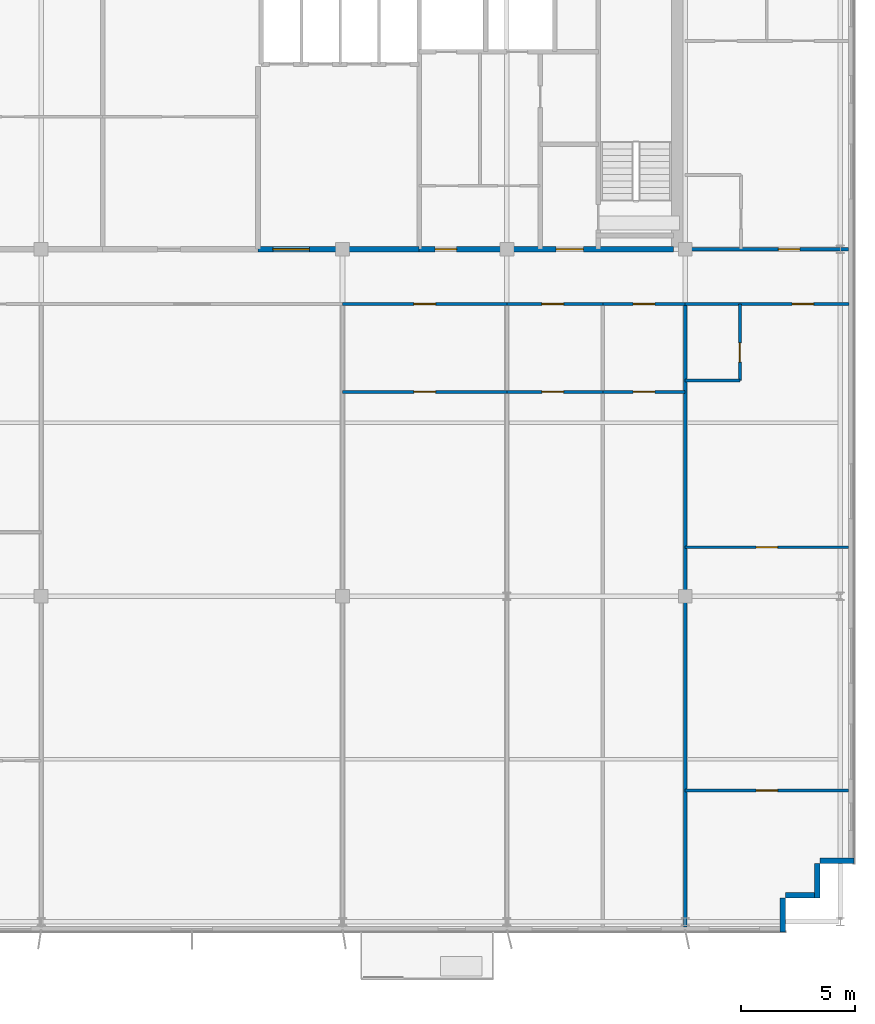
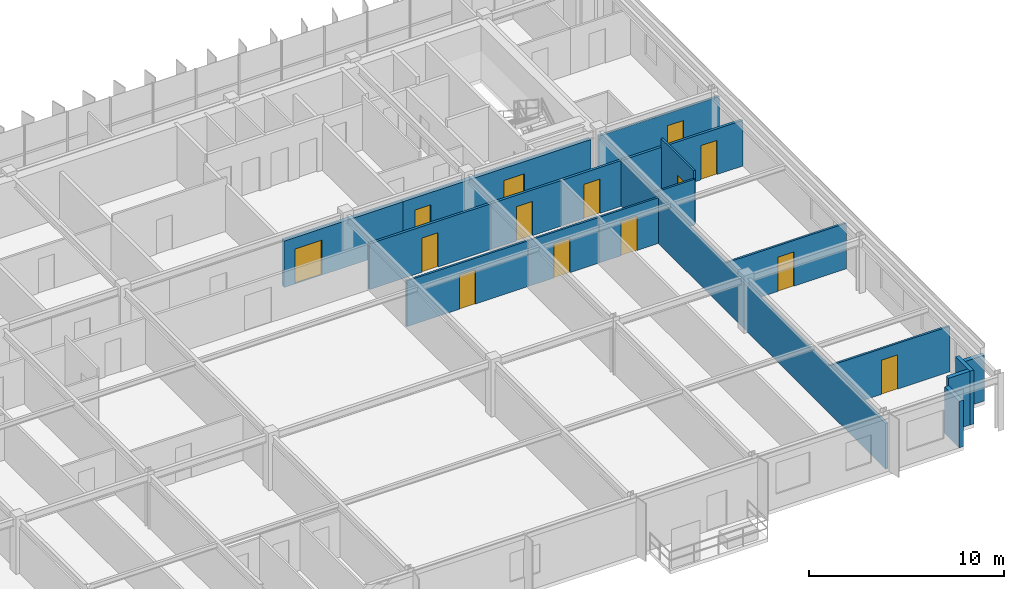
# One storey, part 18 of 22: 19 walls, 14 doors, 14 openings.
"""IFC4 building model written with IfcOpenShell, lengths in metres."""

from ifc_helpers import new_model, si_unit, direction, frame, frame_2d, origin, place, context, subcontext, project, spatial, rectangle, extrude, source, transform, mapped, material, layer, layer_set, type_object, element, fill, save


model = new_model("IFC4")

# Units and contexts
model_context = context("Model", 3, precision=1e-05, world=origin(), true_north=direction((0.0, 1.0)))
body_context = subcontext(model_context, "Body", "Model", "MODEL_VIEW")
ifc_project = project(units=[si_unit("LENGTHUNIT", "METRE"), si_unit("AREAUNIT", "SQUARE_METRE"), si_unit("VOLUMEUNIT", "CUBIC_METRE"), si_unit("PLANEANGLEUNIT", "RADIAN"), si_unit("MASSUNIT", "GRAM", prefix="KILO")], contexts=[model_context])

# Site, building, storey
site_placement = place(None, origin())
site = spatial("IfcSite", under=ifc_project, at=site_placement, CompositionType="ELEMENT")
building_placement = place(site_placement, origin())
building = spatial("IfcBuilding", under=site, at=building_placement, Name="Trelvane Seafront Commons", CompositionType="ELEMENT")
storey_placement = place(building_placement, frame((0.0, 0.0, 273.89990234375)))
storey = spatial("IfcBuildingStorey", under=building, at=storey_placement, Name="L71", CompositionType="ELEMENT", Elevation=273.89990234375)

# Walls
ifc_material_1 = material(Name="Precast concrete C40/50", Category="concrete")
ifc_layer_1 = layer(ifc_material_1, 0.239990234375, Name="ARCH-WALL-EXT240")
ifc_layer_set_1 = layer_set([ifc_layer_1], Name="Precast concrete C40/50")
wall_type_1 = type_object("IfcWallType", Name="ARCH-WALL-EXT240", PredefinedType="SOLIDWALL", material=ifc_layer_set_1)
wall_1_placement = place(storey_placement, frame((66.199951171875, 6.6201171875, 0.0), z_axis=(0.0, 0.0, 1.0), x_axis=(-1.0, 0.0, 0.0)))
element("IfcWall", 1, at=wall_1_placement, inside=storey, type_object=wall_type_1, Name="EW-L71-01439", PredefinedType="SOLIDWALL", context=body_context, shape_type="SweptSolid", body=[
    extrude(rectangle(XDim=1.5, YDim=0.239990234375, at=frame_2d((0.75, 0.0))), origin(), (0.0, 0.0, 1.0), 2.8701171875),
])
for number, where, z_axis, x_axis, name in (
    (2, (64.580078125, 6.5, 0.0), (0.0, 0.0, 1.0), (0.0, -1.0, 0.0), "EW-L71-01440"),
    (3, (64.699951171875, 5.1201171875, 0.0), (0.0, 0.0, 1.0), (-1.0, 0.0, 0.0), "EW-L71-01441"),
):
    element("IfcWall", number, at=place(storey_placement, frame(where, z_axis=z_axis, x_axis=x_axis)), inside=storey, type_object=wall_type_1, Name=name, PredefinedType="SOLIDWALL", context=body_context, shape_type="SweptSolid", body=[
        extrude(rectangle(XDim=1.5, YDim=0.239990234375, at=frame_2d((0.75, 0.0))), origin(), (0.0, 0.0, 1.0), 3.3701171875),
    ])
wall_2_placement = place(storey_placement, frame((63.080078125, 5.0, 0.0), z_axis=(0.0, 0.0, 1.0), x_axis=(0.0, -1.0, 0.0)))
element("IfcWall", 4, at=wall_2_placement, inside=storey, type_object=wall_type_1, Name="EW-L71-01442", PredefinedType="SOLIDWALL", context=body_context, shape_type="SweptSolid", body=[
    extrude(rectangle(XDim=1.5, YDim=0.239990234375, at=frame_2d((0.75, 0.0))), origin(), (0.0, 0.0, 1.0), 2.920166015625),
])

# Wall, opening, door
ifc_material_2 = material(Name="Concrete C40/50", Category="concrete")
ifc_layer_2 = layer(ifc_material_2, 0.25, Name="ARCH-WALL-FIRE250")
ifc_layer_set_2 = layer_set([ifc_layer_2], Name="Concrete C40/50")
wall_type_2 = type_object("IfcWallType", Name="ARCH-WALL-FIRE250", PredefinedType="PARTITIONING", material=ifc_layer_set_2)
wall_3_placement = place(storey_placement, frame((40.10009765625, 33.39990234375, 0.0), z_axis=(0.0, 0.0, 1.0), x_axis=(1.0, 0.0, 0.0)))
wall_3 = element("IfcWall", 5, at=wall_3_placement, inside=storey, type_object=wall_type_2, Name="W-L71-CS-PAX-026", PredefinedType="PARTITIONING", context=body_context, shape_type="SweptSolid", body=[
    extrude(rectangle(XDim=7.0498046875, YDim=0.25, at=frame_2d((3.52490234375, 0.0))), origin(), (0.0, 0.0, 1.0), 2.920166015625),
])
opening_1_placement = place(wall_3_placement, frame((0.64990234375, 0.0, 0.0)))
opening_1 = element("IfcOpeningElement", 6, at=opening_1_placement, cuts=wall_3, Name="Opening FD-L71-14", PredefinedType="OPENING", context=body_context, shape_type="SweptSolid", body=[
    extrude(rectangle(XDim=1.60009765625, YDim=2.199951171875, at=frame_2d((0.800048828125, 1.10009765625))), frame((0.0, 0.135009765625, 0.0), z_axis=(0.0, -1.0, 0.0), x_axis=(1.0, 0.0, 0.0)), (0.0, 0.0, 1.0), 0.27001953125),
])
ifc_material_3 = material(Name="Powder-coated aluminium frame", Category="aluminium")
door_type_1 = type_object("IfcDoorType", Name="ARCH-DR-FD60-1600", OperationType="DOUBLE_DOOR_SINGLE_SWING", PredefinedType="DOOR", material=ifc_material_3)
shared_shape_1 = source(origin(), body_context, "Body", "SweptSolid", [
    extrude(rectangle(XDim=1.60009765625, YDim=2.199951171875, at=frame_2d((0.800048828125, 1.10009765625))), frame((0.0, 0.02490234375, 0.0), z_axis=(0.0, -1.0, 0.0), x_axis=(1.0, 0.0, 0.0)), (0.0, 0.0, 1.0), 0.050048828125),
])
door_1_placement = place(opening_1_placement, origin())
door_1 = element("IfcDoor", 7, at=door_1_placement, inside=storey, type_object=door_type_1, Name="L71 High-Rise Lift Lobby Double Door", OperationType="DOUBLE_DOOR_SINGLE_SWING", OverallHeight=2.199951171875, OverallWidth=1.60009765625, PredefinedType="DOOR", context=body_context, shape_type="MappedRepresentation", body=[
    mapped(shared_shape_1, transform((0.0, 0.0, 0.0), x_axis=(1.0, 0.0, 0.0), y_axis=(0.0, 1.0, 0.0), z_axis=(0.0, 0.0, 1.0), scale=1.0)),
])
fill(opening_1, door_1)

# Wall, openings, doors
wall_4_placement = place(storey_placement, frame((47.14990234375, 33.39990234375, 0.0), z_axis=(0.0, 0.0, 1.0), x_axis=(1.0, 0.0, 0.0)))
wall_4 = element("IfcWall", 8, at=wall_4_placement, inside=storey, type_object=wall_type_2, Name="W-L71-CS-EAST-034", PredefinedType="PARTITIONING", context=body_context, shape_type="SweptSolid", body=[
    extrude(rectangle(XDim=11.150146484375, YDim=0.25, at=frame_2d((5.5751953125, 0.0))), origin(), (0.0, 0.0, 1.0), 2.920166015625),
])
opening_2_placement = place(wall_4_placement, frame((0.699951171875, 0.0, 0.0)))
opening_2 = element("IfcOpeningElement", 9, at=opening_2_placement, cuts=wall_4, Name="Opening FD-L71-20", PredefinedType="OPENING", context=body_context, shape_type="SweptSolid", body=[
    extrude(rectangle(XDim=0.949951171875, YDim=2.14990234375, at=frame_2d((0.47509765625, 1.074951171875))), frame((0.0, 0.135009765625, 0.0), z_axis=(0.0, -1.0, 0.0), x_axis=(1.0, 0.0, 0.0)), (0.0, 0.0, 1.0), 0.27001953125),
])
opening_3_placement = place(wall_4_placement, frame((6.0, 0.0, 0.0)))
opening_3 = element("IfcOpeningElement", 10, at=opening_3_placement, cuts=wall_4, Name="Opening FD-L71-21", PredefinedType="OPENING", context=body_context, shape_type="SweptSolid", body=[
    extrude(rectangle(XDim=1.199951171875, YDim=2.14990234375, at=frame_2d((0.60009765625, 1.074951171875))), frame((0.0, 0.135009765625, 0.0), z_axis=(0.0, -1.0, 0.0), x_axis=(1.0, 0.0, 0.0)), (0.0, 0.0, 1.0), 0.27001953125),
])
door_type_2 = type_object("IfcDoorType", Name="ARCH-DR-FD60-950", OperationType="NOTDEFINED", PredefinedType="DOOR", material=ifc_material_3)
shared_shape_2 = source(origin(), body_context, "Body", "SweptSolid", [
    extrude(rectangle(XDim=0.949951171875, YDim=2.14990234375, at=frame_2d((0.47509765625, 1.074951171875))), frame((0.0, 0.02490234375, 0.0), z_axis=(0.0, -1.0, 0.0), x_axis=(1.0, 0.0, 0.0)), (0.0, 0.0, 1.0), 0.050048828125),
])
door_2_placement = place(opening_2_placement, origin())
door_2 = element("IfcDoor", 11, at=door_2_placement, inside=storey, type_object=door_type_2, Name="L71 Core Service Lobby Door", OperationType="SINGLE_SWING_RIGHT", OverallHeight=2.14990234375, OverallWidth=0.949951171875, PredefinedType="DOOR", context=body_context, shape_type="MappedRepresentation", body=[
    mapped(shared_shape_2, transform((0.0, 0.0, 0.0), x_axis=(1.0, 0.0, 0.0), y_axis=(0.0, 1.0, 0.0), z_axis=(0.0, 0.0, 1.0), scale=1.0)),
])
fill(opening_2, door_2)
door_type_3 = type_object("IfcDoorType", Name="ARCH-DR-FD60-1200", OperationType="NOTDEFINED", PredefinedType="DOOR", material=ifc_material_3)
shared_shape_3 = source(origin(), body_context, "Body", "SweptSolid", [
    extrude(rectangle(XDim=1.199951171875, YDim=2.14990234375, at=frame_2d((0.60009765625, 1.074951171875))), frame((0.0, 0.02490234375, 0.0), z_axis=(0.0, -1.0, 0.0), x_axis=(1.0, 0.0, 0.0)), (0.0, 0.0, 1.0), 0.050048828125),
])
door_3_placement = place(opening_3_placement, origin())
door_3 = element("IfcDoor", 12, at=door_3_placement, inside=storey, type_object=door_type_3, Name="L71 East Stair Vestibule Fire Door", OperationType="SINGLE_SWING_LEFT", OverallHeight=2.14990234375, OverallWidth=1.199951171875, PredefinedType="DOOR", context=body_context, shape_type="MappedRepresentation", body=[
    mapped(shared_shape_3, transform((0.0, 0.0, 0.0), x_axis=(1.0, 0.0, 0.0), y_axis=(0.0, 1.0, 0.0), z_axis=(0.0, 0.0, 1.0), scale=1.0)),
])
fill(opening_3, door_3)

# Wall, opening, door
ifc_material_4 = material(Name="Gypsum Drywall Acoustic Partition")
ifc_layer_3 = layer(ifc_material_4, 0.1201171875, Name="ARCH-WALL-PART120")
ifc_layer_set_3 = layer_set([ifc_layer_3], Name="Gypsum Drywall Acoustic Partition")
wall_type_3 = type_object("IfcWallType", Name="ARCH-WALL-PART120", PredefinedType="PARTITIONING", material=ifc_layer_set_3)
wall_5_placement = place(storey_placement, frame((43.800048828125, 27.14990234375, 0.0), z_axis=(0.0, 0.0, 1.0), x_axis=(1.0, 0.0, 0.0)))
wall_5 = element("IfcWall", 13, at=wall_5_placement, inside=storey, type_object=wall_type_3, Name="W-L71-U6-DIV-073", PredefinedType="PARTITIONING", context=body_context, shape_type="SweptSolid", body=[
    extrude(rectangle(XDim=7.199951171875, YDim=0.1201171875, at=frame_2d((3.60009765625, 0.0))), origin(), (0.0, 0.0, 1.0), 2.8701171875),
])
opening_4_placement = place(wall_5_placement, frame((3.125, 0.0, 0.0)))
opening_4 = element("IfcOpeningElement", 14, at=opening_4_placement, cuts=wall_5, Name="Opening D-L71-46", PredefinedType="OPENING", context=body_context, shape_type="SweptSolid", body=[
    extrude(rectangle(XDim=0.949951171875, YDim=2.14990234375, at=frame_2d((0.47509765625, 1.074951171875))), frame((0.0, 0.070068359375, 0.0), z_axis=(0.0, -1.0, 0.0), x_axis=(1.0, 0.0, 0.0)), (0.0, 0.0, 1.0), 0.14013671875),
])
ifc_material_5 = material(Name="Acoustic timber door leaf", Category="wood")
door_type_4 = type_object("IfcDoorType", Name="ARCH-DR-INT950", OperationType="NOTDEFINED", PredefinedType="DOOR", material=ifc_material_5)
door_4_placement = place(opening_4_placement, origin())
door_4 = element("IfcDoor", 15, at=door_4_placement, inside=storey, type_object=door_type_4, Name="L71 Door 46", OperationType="SINGLE_SWING_RIGHT", OverallHeight=2.14990234375, OverallWidth=0.949951171875, PredefinedType="DOOR", context=body_context, shape_type="MappedRepresentation", body=[
    mapped(shared_shape_2, transform((0.0, 0.0, 0.0), x_axis=(1.0, 0.0, 0.0), y_axis=(0.0, 1.0, 0.0), z_axis=(0.0, 0.0, 1.0), scale=1.0)),
])
fill(opening_4, door_4)

wall_6_placement = place(storey_placement, frame((51.0, 27.14990234375, 0.0), z_axis=(0.0, 0.0, 1.0), x_axis=(1.0, 0.0, 0.0)))
wall_6 = element("IfcWall", 16, at=wall_6_placement, inside=storey, type_object=wall_type_3, Name="W-L71-U7-DIV-075", PredefinedType="PARTITIONING", context=body_context, shape_type="SweptSolid", body=[
    extrude(rectangle(XDim=4.199951171875, YDim=0.1201171875, at=frame_2d((2.10009765625, 0.0))), origin(), (0.0, 0.0, 1.0), 2.8701171875),
])
opening_5_placement = place(wall_6_placement, frame((1.529052734375, 0.0, 0.0)))
opening_5 = element("IfcOpeningElement", 17, at=opening_5_placement, cuts=wall_6, Name="Opening D-L71-48", PredefinedType="OPENING", context=body_context, shape_type="SweptSolid", body=[
    extrude(rectangle(XDim=0.949951171875, YDim=2.14990234375, at=frame_2d((0.47509765625, 1.074951171875))), frame((0.0, 0.070068359375, 0.0), z_axis=(0.0, -1.0, 0.0), x_axis=(1.0, 0.0, 0.0)), (0.0, 0.0, 1.0), 0.14013671875),
])
door_5_placement = place(opening_5_placement, origin())
door_5 = element("IfcDoor", 18, at=door_5_placement, inside=storey, type_object=door_type_4, Name="L71 Door 48", OperationType="SINGLE_SWING_RIGHT", OverallHeight=2.14990234375, OverallWidth=0.949951171875, PredefinedType="DOOR", context=body_context, shape_type="MappedRepresentation", body=[
    mapped(shared_shape_2, transform((0.0, 0.0, 0.0), x_axis=(1.0, 0.0, 0.0), y_axis=(0.0, 1.0, 0.0), z_axis=(0.0, 0.0, 1.0), scale=1.0)),
])
fill(opening_5, door_5)

wall_7_placement = place(storey_placement, frame((55.199951171875, 27.14990234375, 0.0), z_axis=(0.0, 0.0, 1.0), x_axis=(1.0, 0.0, 0.0)))
wall_7 = element("IfcWall", 19, at=wall_7_placement, inside=storey, type_object=wall_type_3, Name="W-L71-U8-DIV-077", PredefinedType="PARTITIONING", context=body_context, shape_type="SweptSolid", body=[
    extrude(rectangle(XDim=3.60009765625, YDim=0.1201171875, at=frame_2d((1.800048828125, 0.0))), origin(), (0.0, 0.0, 1.0), 2.8701171875),
])
opening_6_placement = place(wall_7_placement, frame((1.324951171875, 0.0, 0.0)))
opening_6 = element("IfcOpeningElement", 20, at=opening_6_placement, cuts=wall_7, Name="Opening D-L71-50", PredefinedType="OPENING", context=body_context, shape_type="SweptSolid", body=[
    extrude(rectangle(XDim=0.949951171875, YDim=2.14990234375, at=frame_2d((0.47509765625, 1.074951171875))), frame((0.0, 0.070068359375, 0.0), z_axis=(0.0, -1.0, 0.0), x_axis=(1.0, 0.0, 0.0)), (0.0, 0.0, 1.0), 0.14013671875),
])
door_6_placement = place(opening_6_placement, origin())
door_6 = element("IfcDoor", 21, at=door_6_placement, inside=storey, type_object=door_type_4, Name="L71 Door 50", OperationType="SINGLE_SWING_RIGHT", OverallHeight=2.14990234375, OverallWidth=0.949951171875, PredefinedType="DOOR", context=body_context, shape_type="MappedRepresentation", body=[
    mapped(shared_shape_2, transform((0.0, 0.0, 0.0), x_axis=(1.0, 0.0, 0.0), y_axis=(0.0, 1.0, 0.0), z_axis=(0.0, 0.0, 1.0), scale=1.0)),
])
fill(opening_6, door_6)

wall_8_placement = place(storey_placement, frame((58.800048828125, 20.35009765625, 0.0), z_axis=(0.0, 0.0, 1.0), x_axis=(1.0, 0.0, 0.0)))
wall_8 = element("IfcWall", 22, at=wall_8_placement, inside=storey, type_object=wall_type_3, Name="W-L71-U9-KL-078", PredefinedType="PARTITIONING", context=body_context, shape_type="SweptSolid", body=[
    extrude(rectangle(XDim=7.159912109375, YDim=0.1201171875, at=frame_2d((3.580078125, 0.0))), origin(), (0.0, 0.0, 1.0), 2.8701171875),
])
opening_7_placement = place(wall_8_placement, frame((3.10498046875, 0.0, 0.0)))
opening_7 = element("IfcOpeningElement", 23, at=opening_7_placement, cuts=wall_8, Name="Opening D-L71-51", PredefinedType="OPENING", context=body_context, shape_type="SweptSolid", body=[
    extrude(rectangle(XDim=0.949951171875, YDim=2.14990234375, at=frame_2d((0.47509765625, 1.074951171875))), frame((0.0, 0.070068359375, 0.0), z_axis=(0.0, -1.0, 0.0), x_axis=(1.0, 0.0, 0.0)), (0.0, 0.0, 1.0), 0.14013671875),
])
door_7_placement = place(opening_7_placement, origin())
door_7 = element("IfcDoor", 24, at=door_7_placement, inside=storey, type_object=door_type_4, Name="L71 Door 51", OperationType="SINGLE_SWING_LEFT", OverallHeight=2.14990234375, OverallWidth=0.949951171875, PredefinedType="DOOR", context=body_context, shape_type="MappedRepresentation", body=[
    mapped(shared_shape_2, transform((0.0, 0.0, 0.0), x_axis=(1.0, 0.0, 0.0), y_axis=(0.0, 1.0, 0.0), z_axis=(0.0, 0.0, 1.0), scale=1.0)),
])
fill(opening_7, door_7)

wall_9_placement = place(storey_placement, frame((61.199951171875, 27.64990234375, 0.0), z_axis=(0.0, 0.0, 1.0), x_axis=(0.0, 1.0, 0.0)))
wall_9 = element("IfcWall", 25, at=wall_9_placement, inside=storey, type_object=wall_type_3, Name="W-L71-U9-BE-079", PredefinedType="PARTITIONING", context=body_context, shape_type="SweptSolid", body=[
    extrude(rectangle(XDim=3.35009765625, YDim=0.1201171875, at=frame_2d((1.675048828125, 0.0))), origin(), (0.0, 0.0, 1.0), 3.3701171875),
])
opening_8_placement = place(wall_9_placement, frame((0.800048828125, 0.0, 0.0)))
opening_8 = element("IfcOpeningElement", 26, at=opening_8_placement, cuts=wall_9, Name="Opening D-L71-52", PredefinedType="OPENING", context=body_context, shape_type="SweptSolid", body=[
    extrude(rectangle(XDim=0.85009765625, YDim=2.10009765625, at=frame_2d((0.425048828125, 1.050048828125))), frame((0.0, 0.070068359375, 0.0), z_axis=(0.0, -1.0, 0.0), x_axis=(1.0, 0.0, 0.0)), (0.0, 0.0, 1.0), 0.14013671875),
])
door_type_5 = type_object("IfcDoorType", Name="ARCH-DR-INT850", OperationType="NOTDEFINED", PredefinedType="DOOR", material=ifc_material_5)
shared_shape_4 = source(origin(), body_context, "Body", "SweptSolid", [
    extrude(rectangle(XDim=0.85009765625, YDim=2.10009765625, at=frame_2d((0.425048828125, 1.050048828125))), frame((0.0, 0.02490234375, 0.0), z_axis=(0.0, -1.0, 0.0), x_axis=(1.0, 0.0, 0.0)), (0.0, 0.0, 1.0), 0.050048828125),
])
door_8_placement = place(opening_8_placement, origin())
door_8 = element("IfcDoor", 27, at=door_8_placement, inside=storey, type_object=door_type_5, Name="L71 Door 52", OperationType="SINGLE_SWING_RIGHT", OverallHeight=2.10009765625, OverallWidth=0.85009765625, PredefinedType="DOOR", context=body_context, shape_type="MappedRepresentation", body=[
    mapped(shared_shape_4, transform((0.0, 0.0, 0.0), x_axis=(1.0, 0.0, 0.0), y_axis=(0.0, 1.0, 0.0), z_axis=(0.0, 0.0, 1.0), scale=1.0)),
])
fill(opening_8, door_8)

# Wall
wall_10_placement = place(storey_placement, frame((58.800048828125, 27.64990234375, 0.0), z_axis=(0.0, 0.0, 1.0), x_axis=(1.0, 0.0, 0.0)))
element("IfcWall", 28, at=wall_10_placement, inside=storey, type_object=wall_type_3, Name="W-L71-U9-BS-080", PredefinedType="PARTITIONING", context=body_context, shape_type="SweptSolid", body=[
    extrude(rectangle(XDim=2.39990234375, YDim=0.1201171875, at=frame_2d((1.199951171875, 0.0))), origin(), (0.0, 0.0, 1.0), 2.8701171875),
])

# Wall, opening, door
wall_11_placement = place(storey_placement, frame((58.800048828125, 9.699951171875, 0.0), z_axis=(0.0, 0.0, 1.0), x_axis=(1.0, 0.0, 0.0)))
wall_11 = element("IfcWall", 29, at=wall_11_placement, inside=storey, type_object=wall_type_3, Name="W-L71-U9-YM-1-082", PredefinedType="PARTITIONING", context=body_context, shape_type="SweptSolid", body=[
    extrude(rectangle(XDim=7.159912109375, YDim=0.1201171875, at=frame_2d((3.580078125, 0.0))), origin(), (0.0, 0.0, 1.0), 2.8701171875),
])
opening_9_placement = place(wall_11_placement, frame((3.10498046875, 0.0, 0.0)))
opening_9 = element("IfcOpeningElement", 30, at=opening_9_placement, cuts=wall_11, Name="Opening D-L71-54", PredefinedType="OPENING", context=body_context, shape_type="SweptSolid", body=[
    extrude(rectangle(XDim=0.949951171875, YDim=2.14990234375, at=frame_2d((0.47509765625, 1.074951171875))), frame((0.0, 0.070068359375, 0.0), z_axis=(0.0, -1.0, 0.0), x_axis=(1.0, 0.0, 0.0)), (0.0, 0.0, 1.0), 0.14013671875),
])
door_9_placement = place(opening_9_placement, origin())
door_9 = element("IfcDoor", 31, at=door_9_placement, inside=storey, type_object=door_type_4, Name="L71 Door 54", OperationType="SINGLE_SWING_RIGHT", OverallHeight=2.14990234375, OverallWidth=0.949951171875, PredefinedType="DOOR", context=body_context, shape_type="MappedRepresentation", body=[
    mapped(shared_shape_2, transform((0.0, 0.0, 0.0), x_axis=(1.0, 0.0, 0.0), y_axis=(0.0, 1.0, 0.0), z_axis=(0.0, 0.0, 1.0), scale=1.0)),
])
fill(opening_9, door_9)

ifc_layer_4 = layer(ifc_material_4, 0.14990234375, Name="ARCH-WALL-PART150")
ifc_layer_set_4 = layer_set([ifc_layer_4], Name="Gypsum Drywall Acoustic Partition")
wall_type_4 = type_object("IfcWallType", Name="ARCH-WALL-PART150", PredefinedType="PARTITIONING", material=ifc_layer_set_4)
wall_12_placement = place(storey_placement, frame((58.800048828125, 33.39990234375, 0.0), z_axis=(0.0, 0.0, 1.0), x_axis=(1.0, 0.0, 0.0)))
wall_12 = element("IfcWall", 32, at=wall_12_placement, inside=storey, type_object=wall_type_4, Name="W-L71-NE-ENT-041", PredefinedType="PARTITIONING", context=body_context, shape_type="SweptSolid", body=[
    extrude(rectangle(XDim=7.14990234375, YDim=0.14990234375, at=frame_2d((3.574951171875, 0.0))), origin(), (0.0, 0.0, 1.0), 2.920166015625),
])
opening_10_placement = place(wall_12_placement, frame((4.080078125, 0.0, 0.0)))
opening_10 = element("IfcOpeningElement", 33, at=opening_10_placement, cuts=wall_12, Name="Opening FD-L71-26", PredefinedType="OPENING", context=body_context, shape_type="SweptSolid", body=[
    extrude(rectangle(XDim=0.949951171875, YDim=2.14990234375, at=frame_2d((0.47509765625, 1.074951171875))), frame((0.0, 0.0849609375, 0.0), z_axis=(0.0, -1.0, 0.0), x_axis=(1.0, 0.0, 0.0)), (0.0, 0.0, 1.0), 0.169921875),
])
door_10_placement = place(opening_10_placement, origin())
door_10 = element("IfcDoor", 34, at=door_10_placement, inside=storey, type_object=door_type_2, Name="L71 NE Flat Entrance Door", OperationType="SINGLE_SWING_RIGHT", OverallHeight=2.14990234375, OverallWidth=0.949951171875, PredefinedType="DOOR", context=body_context, shape_type="MappedRepresentation", body=[
    mapped(shared_shape_2, transform((0.0, 0.0, 0.0), x_axis=(1.0, 0.0, 0.0), y_axis=(0.0, 1.0, 0.0), z_axis=(0.0, 0.0, 1.0), scale=1.0)),
])
fill(opening_10, door_10)

# Wall
wall_13_placement = place(storey_placement, frame((58.800048828125, 3.72509765625, 0.0), z_axis=(0.0, 0.0, 1.0), x_axis=(0.0, 1.0, 0.0)))
element("IfcWall", 35, at=wall_13_placement, inside=storey, type_object=wall_type_4, Name="W-L71-PW-8-052", PredefinedType="PARTITIONING", context=body_context, shape_type="SweptSolid", body=[
    extrude(rectangle(XDim=27.27490234375, YDim=0.14990234375, at=frame_2d((13.637451171875, 0.0))), origin(), (0.0, 0.0, 1.0), 2.8701171875),
])

# Wall, opening, door
wall_14_placement = place(storey_placement, frame((43.800048828125, 31.0, 0.0), z_axis=(0.0, 0.0, 1.0), x_axis=(1.0, 0.0, 0.0)))
wall_14 = element("IfcWall", 36, at=wall_14_placement, inside=storey, type_object=wall_type_4, Name="W-L71-CS-BAY-6-072", PredefinedType="PARTITIONING", context=body_context, shape_type="SweptSolid", body=[
    extrude(rectangle(XDim=7.199951171875, YDim=0.14990234375, at=frame_2d((3.60009765625, 0.0))), origin(), (0.0, 0.0, 1.0), 2.8701171875),
])
opening_11_placement = place(wall_14_placement, frame((3.125, 0.0, 0.0)))
opening_11 = element("IfcOpeningElement", 37, at=opening_11_placement, cuts=wall_14, Name="Opening FD-L71-45", PredefinedType="OPENING", context=body_context, shape_type="SweptSolid", body=[
    extrude(rectangle(XDim=0.949951171875, YDim=2.14990234375, at=frame_2d((0.47509765625, 1.074951171875))), frame((0.0, 0.0849609375, 0.0), z_axis=(0.0, -1.0, 0.0), x_axis=(1.0, 0.0, 0.0)), (0.0, 0.0, 1.0), 0.169921875),
])
door_11_placement = place(opening_11_placement, origin())
door_11 = element("IfcDoor", 38, at=door_11_placement, inside=storey, type_object=door_type_2, Name="L71 Bay 06 Entrance Door", OperationType="SINGLE_SWING_LEFT", OverallHeight=2.14990234375, OverallWidth=0.949951171875, PredefinedType="DOOR", context=body_context, shape_type="MappedRepresentation", body=[
    mapped(shared_shape_2, transform((0.0, 0.0, 0.0), x_axis=(1.0, 0.0, 0.0), y_axis=(0.0, 1.0, 0.0), z_axis=(0.0, 0.0, 1.0), scale=1.0)),
])
fill(opening_11, door_11)

wall_15_placement = place(storey_placement, frame((51.0, 31.0, 0.0), z_axis=(0.0, 0.0, 1.0), x_axis=(1.0, 0.0, 0.0)))
wall_15 = element("IfcWall", 39, at=wall_15_placement, inside=storey, type_object=wall_type_4, Name="W-L71-CS-BAY-7-074", PredefinedType="PARTITIONING", context=body_context, shape_type="SweptSolid", body=[
    extrude(rectangle(XDim=4.199951171875, YDim=0.14990234375, at=frame_2d((2.10009765625, 0.0))), origin(), (0.0, 0.0, 1.0), 2.8701171875),
])
opening_12_placement = place(wall_15_placement, frame((1.529052734375, 0.0, 0.0)))
opening_12 = element("IfcOpeningElement", 40, at=opening_12_placement, cuts=wall_15, Name="Opening FD-L71-47", PredefinedType="OPENING", context=body_context, shape_type="SweptSolid", body=[
    extrude(rectangle(XDim=0.949951171875, YDim=2.14990234375, at=frame_2d((0.47509765625, 1.074951171875))), frame((0.0, 0.0849609375, 0.0), z_axis=(0.0, -1.0, 0.0), x_axis=(1.0, 0.0, 0.0)), (0.0, 0.0, 1.0), 0.169921875),
])
door_12_placement = place(opening_12_placement, origin())
door_12 = element("IfcDoor", 41, at=door_12_placement, inside=storey, type_object=door_type_2, Name="L71 Bay 07 Entrance Door", OperationType="SINGLE_SWING_LEFT", OverallHeight=2.14990234375, OverallWidth=0.949951171875, PredefinedType="DOOR", context=body_context, shape_type="MappedRepresentation", body=[
    mapped(shared_shape_2, transform((0.0, 0.0, 0.0), x_axis=(1.0, 0.0, 0.0), y_axis=(0.0, 1.0, 0.0), z_axis=(0.0, 0.0, 1.0), scale=1.0)),
])
fill(opening_12, door_12)

wall_16_placement = place(storey_placement, frame((55.199951171875, 31.0, 0.0), z_axis=(0.0, 0.0, 1.0), x_axis=(1.0, 0.0, 0.0)))
wall_16 = element("IfcWall", 42, at=wall_16_placement, inside=storey, type_object=wall_type_4, Name="W-L71-CS-BAY-8-076", PredefinedType="PARTITIONING", context=body_context, shape_type="SweptSolid", body=[
    extrude(rectangle(XDim=3.60009765625, YDim=0.14990234375, at=frame_2d((1.800048828125, 0.0))), origin(), (0.0, 0.0, 1.0), 2.8701171875),
])
opening_13_placement = place(wall_16_placement, frame((1.324951171875, 0.0, 0.0)))
opening_13 = element("IfcOpeningElement", 43, at=opening_13_placement, cuts=wall_16, Name="Opening FD-L71-49", PredefinedType="OPENING", context=body_context, shape_type="SweptSolid", body=[
    extrude(rectangle(XDim=0.949951171875, YDim=2.14990234375, at=frame_2d((0.47509765625, 1.074951171875))), frame((0.0, 0.0849609375, 0.0), z_axis=(0.0, -1.0, 0.0), x_axis=(1.0, 0.0, 0.0)), (0.0, 0.0, 1.0), 0.169921875),
])
door_13_placement = place(opening_13_placement, origin())
door_13 = element("IfcDoor", 44, at=door_13_placement, inside=storey, type_object=door_type_2, Name="L71 Bay 08 Entrance Door", OperationType="SINGLE_SWING_LEFT", OverallHeight=2.14990234375, OverallWidth=0.949951171875, PredefinedType="DOOR", context=body_context, shape_type="MappedRepresentation", body=[
    mapped(shared_shape_2, transform((0.0, 0.0, 0.0), x_axis=(1.0, 0.0, 0.0), y_axis=(0.0, 1.0, 0.0), z_axis=(0.0, 0.0, 1.0), scale=1.0)),
])
fill(opening_13, door_13)

wall_17_placement = place(storey_placement, frame((58.800048828125, 31.0, 0.0), z_axis=(0.0, 0.0, 1.0), x_axis=(1.0, 0.0, 0.0)))
wall_17 = element("IfcWall", 45, at=wall_17_placement, inside=storey, type_object=wall_type_4, Name="W-L71-CS-BAY-9-081", PredefinedType="PARTITIONING", context=body_context, shape_type="SweptSolid", body=[
    extrude(rectangle(XDim=7.175048828125, YDim=0.14990234375, at=frame_2d((3.58740234375, 0.0))), origin(), (0.0, 0.0, 1.0), 2.8701171875),
])
opening_14_placement = place(wall_17_placement, frame((4.680908203125, 0.0, 0.0)))
opening_14 = element("IfcOpeningElement", 46, at=opening_14_placement, cuts=wall_17, Name="Opening FD-L71-53", PredefinedType="OPENING", context=body_context, shape_type="SweptSolid", body=[
    extrude(rectangle(XDim=0.949951171875, YDim=2.14990234375, at=frame_2d((0.47509765625, 1.074951171875))), frame((0.0, 0.0849609375, 0.0), z_axis=(0.0, -1.0, 0.0), x_axis=(1.0, 0.0, 0.0)), (0.0, 0.0, 1.0), 0.169921875),
])
door_14_placement = place(opening_14_placement, origin())
door_14 = element("IfcDoor", 47, at=door_14_placement, inside=storey, type_object=door_type_2, Name="L71 Unit 09 Entrance Door", OperationType="SINGLE_SWING_LEFT", OverallHeight=2.14990234375, OverallWidth=0.949951171875, PredefinedType="DOOR", context=body_context, shape_type="MappedRepresentation", body=[
    mapped(shared_shape_2, transform((0.0, 0.0, 0.0), x_axis=(1.0, 0.0, 0.0), y_axis=(0.0, 1.0, 0.0), z_axis=(0.0, 0.0, 1.0), scale=1.0)),
])
fill(opening_14, door_14)

save(model, "model.ifc")
